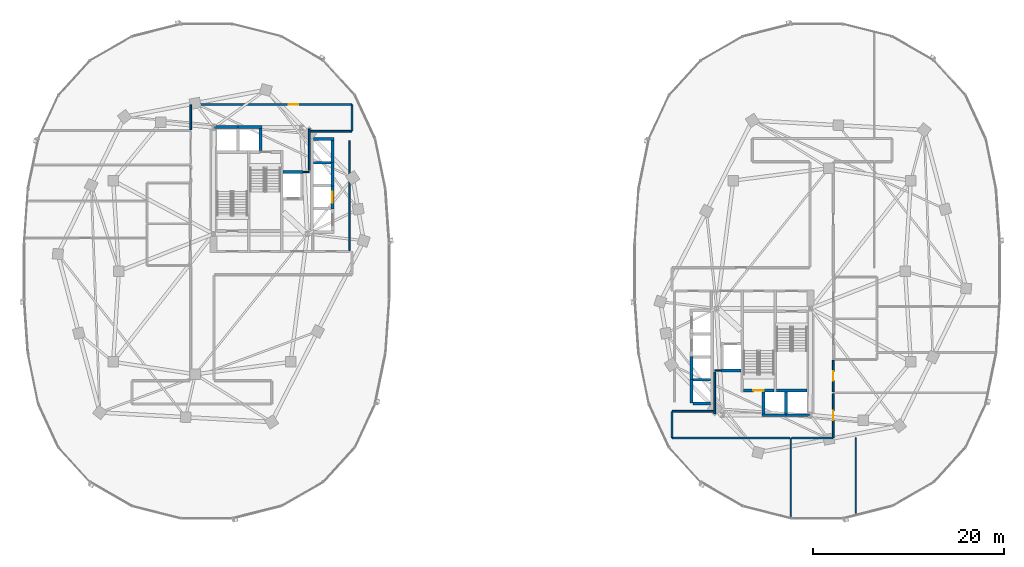
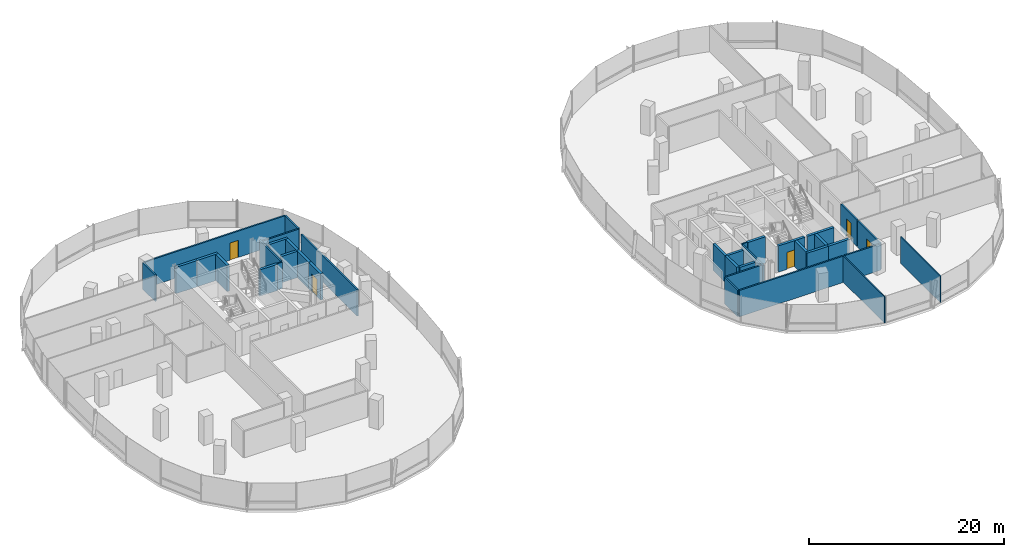
# One storey, part 12 of 21: 37 walls, 5 doors, 5 openings.
"""IFC4 building model written with IfcOpenShell, lengths in metres."""

from ifc_helpers import new_model, si_unit, direction, frame, frame_2d, origin, place, context, subcontext, project, spatial, rectangle, extrude, material, layer, layer_set, type_object, element, fill, save


model = new_model("IFC4")

# Units and contexts
model_context = context("Model", 3, precision=1e-05, world=origin(), true_north=direction((0.0, 1.0)))
body_context = subcontext(model_context, "Body", "Model", "MODEL_VIEW")
ifc_project = project(units=[si_unit("LENGTHUNIT", "METRE"), si_unit("AREAUNIT", "SQUARE_METRE"), si_unit("VOLUMEUNIT", "CUBIC_METRE"), si_unit("PLANEANGLEUNIT", "RADIAN"), si_unit("MASSUNIT", "GRAM", prefix="KILO"), si_unit("THERMODYNAMICTEMPERATUREUNIT", "KELVIN"), si_unit("POWERUNIT", "WATT")], contexts=[model_context])

# Site, building, storey
site_placement = place(None, origin())
site = spatial("IfcSite", under=ifc_project, at=site_placement, CompositionType="ELEMENT")
building_placement = place(site_placement, origin())
building = spatial("IfcBuilding", under=site, at=building_placement, Name="Cundina Bronze Exchange", CompositionType="ELEMENT")
storey_placement = place(building_placement, frame((0.0, 0.0, 89.0)))
storey = spatial("IfcBuildingStorey", under=building, at=storey_placement, Name="L22", CompositionType="ELEMENT", Elevation=89.0)

# Walls
ifc_material_1 = material(Name="Gypsum Fireboard Partition EI120")
ifc_layer_1 = layer(ifc_material_1, 0.179931640625, Name="Gypsum Fireboard Partition EI120")
ifc_layer_set_1 = layer_set([ifc_layer_1], Name="Gypsum Fireboard Partition EI120")
wall_type_1 = type_object("IfcWallType", Name="WL-COR-180", PredefinedType="PARTITIONING", material=ifc_layer_set_1)
wall_1_placement = place(storey_placement, frame((-17.02001953125, 2.169921875, 0.0), z_axis=(0.0, 0.0, 1.0), x_axis=(0.0, 1.0, 0.0)))
element("IfcWall", 1, at=wall_1_placement, inside=storey, type_object=wall_type_1, Name="L22 Interior Partition 001", PredefinedType="PARTITIONING", context=body_context, shape_type="SweptSolid", body=[
    extrude(rectangle(XDim=11.510009765625, YDim=0.179931640625, at=frame_2d((5.7548828125, 0.0))), origin(), (0.0, 0.0, 1.0), 3.300048828125),
])
wall_2_placement = place(storey_placement, frame((-21.25, 10.570068359375, 0.0), z_axis=(0.0, 0.0, 1.0), x_axis=(0.0, 1.0, 0.0)))
element("IfcWall", 2, at=wall_2_placement, inside=storey, type_object=wall_type_1, Name="L22 Interior Partition 004", PredefinedType="PARTITIONING", context=body_context, shape_type="SweptSolid", body=[
    extrude(rectangle(XDim=4.35986328125, YDim=0.179931640625, at=frame_2d((2.179931640625, 0.0))), origin(), (0.0, 0.0, 1.0), 3.300048828125),
])

# Wall, opening, door
wall_3_placement = place(storey_placement, frame((-16.821533203125, 17.469970703125, 0.0), z_axis=(0.0, 0.0, 1.0), x_axis=(-1.0, 0.0, 0.0)))
wall_3 = element("IfcWall", 3, at=wall_3_placement, inside=storey, type_object=wall_type_1, Name="L22 Interior Partition 018", PredefinedType="PARTITIONING", context=body_context, shape_type="SweptSolid", body=[
    extrude(rectangle(XDim=16.806884765625, YDim=0.179931640625, at=frame_2d((8.4033203125, 0.0))), origin(), (0.0, 0.0, 1.0), 3.300048828125),
])
opening_1_placement = place(wall_3_placement, frame((5.568603515625, 0.0, 0.0)))
opening_1 = element("IfcOpeningElement", 4, at=opening_1_placement, cuts=wall_3, Name="Opening DO-01", PredefinedType="OPENING", context=body_context, shape_type="SweptSolid", body=[
    extrude(rectangle(XDim=1.0, YDim=2.14990234375, at=frame_2d((0.5, 1.074951171875))), frame((0.0, 0.099853515625, 0.0), z_axis=(0.0, -1.0, 0.0), x_axis=(1.0, 0.0, 0.0)), (0.0, 0.0, 1.0), 0.199951171875),
])
ifc_material_2 = material(Name="Solid Andean Oak Timber Grade A", Category="wood")
door_type_1 = type_object("IfcDoorType", Name="DR-OFF-1000", OperationType="NOTDEFINED", PredefinedType="DOOR", material=ifc_material_2)
door_1_placement = place(opening_1_placement, origin())
door_1 = element("IfcDoor", 5, at=door_1_placement, inside=storey, type_object=door_type_1, Name="L22 Interior Door 018", OperationType="SINGLE_SWING_LEFT", OverallHeight=2.14990234375, OverallWidth=1.0, PredefinedType="DOOR", context=body_context, shape_type="SweptSolid", body=[
    extrude(rectangle(XDim=1.0, YDim=2.14990234375, at=frame_2d((0.5, 1.074951171875))), frame((0.0, 0.02490234375, 0.0), z_axis=(0.0, -1.0, 0.0), x_axis=(1.0, 0.0, 0.0)), (0.0, 0.0, 1.0), 0.050048828125),
])
fill(opening_1, door_1)

# Walls
wall_4_placement = place(storey_placement, frame((-21.178466796875, 14.679931640625, 0.0), z_axis=(0.0, 0.0, 1.0), x_axis=(1.0, 0.0, 0.0)))
element("IfcWall", 6, at=wall_4_placement, inside=storey, type_object=wall_type_1, Name="L22 Interior Partition 025", PredefinedType="PARTITIONING", context=body_context, shape_type="SweptSolid", body=[
    extrude(rectangle(XDim=4.35693359375, YDim=0.179931640625, at=frame_2d((2.178466796875, 0.0))), origin(), (0.0, 0.0, 1.0), 3.300048828125),
])
wall_5_placement = place(storey_placement, frame((-16.780029296875, 14.721435546875, 0.0), z_axis=(0.0, 0.0, 1.0), x_axis=(0.0, 1.0, 0.0)))
element("IfcWall", 7, at=wall_5_placement, inside=storey, type_object=wall_type_1, Name="L22 Interior Partition 026", PredefinedType="PARTITIONING", context=body_context, shape_type="SweptSolid", body=[
    extrude(rectangle(XDim=2.70703125, YDim=0.179931640625, at=frame_2d((1.353515625, 0.0))), origin(), (0.0, 0.0, 1.0), 3.300048828125),
])
wall_6_placement = place(storey_placement, frame((-33.669921875, 17.428466796875, 0.0), z_axis=(0.0, 0.0, 1.0), x_axis=(0.0, -1.0, 0.0)))
element("IfcWall", 8, at=wall_6_placement, inside=storey, type_object=wall_type_1, Name="L22 Interior Partition 027", PredefinedType="PARTITIONING", context=body_context, shape_type="SweptSolid", body=[
    extrude(rectangle(XDim=2.598388671875, YDim=0.179931640625, at=frame_2d((1.29931640625, 0.0))), origin(), (0.0, 0.0, 1.0), 3.300048828125),
])
wall_7_placement = place(storey_placement, frame((21.25, -14.929931640625, 0.0), z_axis=(0.0, 0.0, 1.0), x_axis=(0.0, 1.0, 0.0)))
element("IfcWall", 9, at=wall_7_placement, inside=storey, type_object=wall_type_1, Name="L22 Interior Partition 037", PredefinedType="PARTITIONING", context=body_context, shape_type="SweptSolid", body=[
    extrude(rectangle(XDim=4.35986328125, YDim=0.179931640625, at=frame_2d((2.179931640625, 0.0))), origin(), (0.0, 0.0, 1.0), 3.300048828125),
])

# Wall, opening, door
wall_8_placement = place(storey_placement, frame((33.669921875, -17.428466796875, 0.0), z_axis=(0.0, 0.0, 1.0), x_axis=(0.0, 1.0, 0.0)))
wall_8 = element("IfcWall", 10, at=wall_8_placement, inside=storey, type_object=wall_type_1, Name="L22 Interior Partition 054", PredefinedType="PARTITIONING", context=body_context, shape_type="SweptSolid", body=[
    extrude(rectangle(XDim=4.598388671875, YDim=0.179931640625, at=frame_2d((2.29931640625, 0.0))), origin(), (0.0, 0.0, 1.0), 3.300048828125),
])
opening_2_placement = place(wall_8_placement, frame((1.79931640625, 0.0, 0.0)))
opening_2 = element("IfcOpeningElement", 11, at=opening_2_placement, cuts=wall_8, Name="Opening DO-01", PredefinedType="OPENING", context=body_context, shape_type="SweptSolid", body=[
    extrude(rectangle(XDim=1.0, YDim=2.14990234375, at=frame_2d((0.5, 1.074951171875))), frame((0.0, 0.099853515625, 0.0), z_axis=(0.0, -1.0, 0.0), x_axis=(1.0, 0.0, 0.0)), (0.0, 0.0, 1.0), 0.199951171875),
])
door_2_placement = place(opening_2_placement, origin())
door_2 = element("IfcDoor", 12, at=door_2_placement, inside=storey, type_object=door_type_1, Name="L22 Interior Door 054", OperationType="SINGLE_SWING_RIGHT", OverallHeight=2.14990234375, OverallWidth=1.0, PredefinedType="DOOR", context=body_context, shape_type="SweptSolid", body=[
    extrude(rectangle(XDim=1.0, YDim=2.14990234375, at=frame_2d((0.5, 1.074951171875))), frame((0.0, 0.02490234375, 0.0), z_axis=(0.0, -1.0, 0.0), x_axis=(1.0, 0.0, 0.0)), (0.0, 0.0, 1.0), 0.050048828125),
])
fill(opening_2, door_2)

# Wall
wall_9_placement = place(storey_placement, frame((29.31005859375, -17.469970703125, 0.0), z_axis=(0.0, 0.0, 1.0), x_axis=(1.0, 0.0, 0.0)))
element("IfcWall", 13, at=wall_9_placement, inside=storey, type_object=wall_type_1, Name="L22 Interior Partition 055", PredefinedType="PARTITIONING", context=body_context, shape_type="SweptSolid", body=[
    extrude(rectangle(XDim=4.318359375, YDim=0.179931640625, at=frame_2d((2.1591796875, 0.0))), origin(), (0.0, 0.0, 1.0), 3.300048828125),
])

# Wall, opening, door
wall_10_placement = place(storey_placement, frame((33.669921875, -12.64990234375, 0.0), z_axis=(0.0, 0.0, 1.0), x_axis=(0.0, 1.0, 0.0)))
wall_10 = element("IfcWall", 14, at=wall_10_placement, inside=storey, type_object=wall_type_1, Name="L22 Interior Partition 056", PredefinedType="PARTITIONING", context=body_context, shape_type="SweptSolid", body=[
    extrude(rectangle(XDim=3.298583984375, YDim=0.179931640625, at=frame_2d((1.6494140625, 0.0))), origin(), (0.0, 0.0, 1.0), 3.300048828125),
])
opening_3_placement = place(wall_10_placement, frame((1.1494140625, 0.0, 0.0)))
opening_3 = element("IfcOpeningElement", 15, at=opening_3_placement, cuts=wall_10, Name="Opening DO-01", PredefinedType="OPENING", context=body_context, shape_type="SweptSolid", body=[
    extrude(rectangle(XDim=1.0, YDim=2.14990234375, at=frame_2d((0.5, 1.074951171875))), frame((0.0, 0.099853515625, 0.0), z_axis=(0.0, -1.0, 0.0), x_axis=(1.0, 0.0, 0.0)), (0.0, 0.0, 1.0), 0.199951171875),
])
door_3_placement = place(opening_3_placement, origin())
door_3 = element("IfcDoor", 16, at=door_3_placement, inside=storey, type_object=door_type_1, Name="L22 Interior Door 056", OperationType="SINGLE_SWING_RIGHT", OverallHeight=2.14990234375, OverallWidth=1.0, PredefinedType="DOOR", context=body_context, shape_type="SweptSolid", body=[
    extrude(rectangle(XDim=1.0, YDim=2.14990234375, at=frame_2d((0.5, 1.074951171875))), frame((0.0, 0.02490234375, 0.0), z_axis=(0.0, -1.0, 0.0), x_axis=(1.0, 0.0, 0.0)), (0.0, 0.0, 1.0), 0.050048828125),
])
fill(opening_3, door_3)

# Walls
wall_11_placement = place(storey_placement, frame((16.821533203125, -17.469970703125, 0.0), z_axis=(0.0, 0.0, 1.0), x_axis=(1.0, 0.0, 0.0)))
element("IfcWall", 17, at=wall_11_placement, inside=storey, type_object=wall_type_1, Name="L22 Interior Partition 059", PredefinedType="PARTITIONING", context=body_context, shape_type="SweptSolid", body=[
    extrude(rectangle(XDim=12.308349609375, YDim=0.179931640625, at=frame_2d((6.154296875, 0.0))), origin(), (0.0, 0.0, 1.0), 3.300048828125),
])
wall_12_placement = place(storey_placement, frame((21.178466796875, -14.679931640625, 0.0), z_axis=(0.0, 0.0, 1.0), x_axis=(-1.0, 0.0, 0.0)))
element("IfcWall", 18, at=wall_12_placement, inside=storey, type_object=wall_type_1, Name="L22 Interior Partition 062", PredefinedType="PARTITIONING", context=body_context, shape_type="SweptSolid", body=[
    extrude(rectangle(XDim=4.35693359375, YDim=0.179931640625, at=frame_2d((2.178466796875, 0.0))), origin(), (0.0, 0.0, 1.0), 3.300048828125),
])
wall_13_placement = place(storey_placement, frame((16.780029296875, -14.721435546875, 0.0), z_axis=(0.0, 0.0, 1.0), x_axis=(0.0, -1.0, 0.0)))
element("IfcWall", 19, at=wall_13_placement, inside=storey, type_object=wall_type_1, Name="L22 Interior Partition 063", PredefinedType="PARTITIONING", context=body_context, shape_type="SweptSolid", body=[
    extrude(rectangle(XDim=2.70703125, YDim=0.179931640625, at=frame_2d((1.353515625, 0.0))), origin(), (0.0, 0.0, 1.0), 3.300048828125),
])
ifc_material_3 = material(Name="Gypsum Acoustic Partition EI60")
ifc_layer_2 = layer(ifc_material_3, 0.125, Name="Gypsum Acoustic Partition EI60")
ifc_layer_set_2 = layer_set([ifc_layer_2], Name="Gypsum Acoustic Partition EI60")
wall_type_2 = type_object("IfcWallType", Name="WL-OFF-125", PredefinedType="PARTITIONING", material=ifc_layer_set_2)
wall_14_placement = place(storey_placement, frame((29.219970703125, -25.965576171875, 0.0), z_axis=(0.0, 0.0, 1.0), x_axis=(0.0, 1.0, 0.0)))
element("IfcWall", 20, at=wall_14_placement, inside=storey, type_object=wall_type_2, Name="L22 Interior Partition 052", PredefinedType="PARTITIONING", context=body_context, shape_type="SweptSolid", body=[
    extrude(rectangle(XDim=8.465576171875, YDim=0.125, at=frame_2d((4.23291015625, 0.0))), origin(), (0.0, 0.0, 1.0), 3.300048828125),
])
wall_15_placement = place(storey_placement, frame((36.02001953125, -25.652099609375, 0.0), z_axis=(0.0, 0.0, 1.0), x_axis=(0.0, 1.0, 0.0)))
element("IfcWall", 21, at=wall_15_placement, inside=storey, type_object=wall_type_2, Name="L22 Interior Partition 053", PredefinedType="PARTITIONING", context=body_context, shape_type="SweptSolid", body=[
    extrude(rectangle(XDim=8.18212890625, YDim=0.125, at=frame_2d((4.091064453125, 0.0))), origin(), (0.0, 0.0, 1.0), 3.300048828125),
])
ifc_material_4 = material(Name="Concrete C50/60", Category="concrete")
ifc_layer_3 = layer(ifc_material_4, 0.300048828125, Name="Concrete C50/60", Category="concrete")
ifc_layer_set_3 = layer_set([ifc_layer_3], Name="Concrete C50/60")
wall_type_3 = type_object("IfcWallType", Name="WL-SHFT-300", PredefinedType="SHEAR", material=ifc_layer_set_3)
wall_16_placement = place(storey_placement, frame((-23.97998046875, 10.39990234375, 0.0), z_axis=(0.0, 0.0, 1.0), x_axis=(1.0, 0.0, 0.0)))
element("IfcWall", 22, at=wall_16_placement, inside=storey, type_object=wall_type_3, Name="L22 FFL-W Hoistway Back Wall", PredefinedType="SHEAR", context=body_context, shape_type="SweptSolid", body=[
    extrude(rectangle(XDim=2.10009765625, YDim=0.300048828125, at=frame_2d((1.050048828125, 0.0))), origin(), (0.0, 0.0, 1.0), 3.300048828125),
])
for number, where, z_axis, x_axis, name in (
    (23, (-31.199951171875, 15.10009765625, 0.0), (0.0, 0.0, 1.0), (1.0, 0.0, 0.0), "L22 PH-W1 Hoistway Front Wall"),
    (24, (-28.699951171875, 15.10009765625, 0.0), (0.0, 0.0, 1.0), (1.0, 0.0, 0.0), "L22 PH-W2 Hoistway Front Wall"),
):
    element("IfcWall", number, at=place(storey_placement, frame(where, z_axis=z_axis, x_axis=x_axis)), inside=storey, type_object=wall_type_3, Name=name, PredefinedType="SHEAR", context=body_context, shape_type="SweptSolid", body=[
        extrude(rectangle(XDim=2.5, YDim=0.300048828125, at=frame_2d((1.25, 0.0))), origin(), (0.0, 0.0, 1.0), 3.300048828125),
    ])
wall_17_placement = place(storey_placement, frame((-26.35009765625, 12.64990234375, 0.0), z_axis=(0.0, 0.0, 1.0), x_axis=(0.0, 1.0, 0.0)))
element("IfcWall", 25, at=wall_17_placement, inside=storey, type_object=wall_type_3, Name="L22 PH-W2 Hoistway Divider Wall", PredefinedType="SHEAR", context=body_context, shape_type="SweptSolid", body=[
    extrude(rectangle(XDim=2.300048828125, YDim=0.300048828125, at=frame_2d((1.14990234375, 0.0))), origin(), (0.0, 0.0, 1.0), 3.300048828125),
])
wall_18_placement = place(storey_placement, frame((-20.800048828125, 13.85009765625, 0.0), z_axis=(0.0, 0.0, 1.0), x_axis=(1.0, 0.0, 0.0)))
element("IfcWall", 26, at=wall_18_placement, inside=storey, type_object=wall_type_3, Name="L22 W Passenger Bank North Cap Wall", PredefinedType="SHEAR", context=body_context, shape_type="SweptSolid", body=[
    extrude(rectangle(XDim=2.150146484375, YDim=0.300048828125, at=frame_2d((1.0751953125, 0.0))), origin(), (0.0, 0.0, 1.0), 3.300048828125),
])
wall_19_placement = place(storey_placement, frame((-20.800048828125, 11.375, 0.0), z_axis=(0.0, 0.0, 1.0), x_axis=(1.0, 0.0, 0.0)))
element("IfcWall", 27, at=wall_19_placement, inside=storey, type_object=wall_type_3, Name="L22 W Passenger Hoistway Divider 3", PredefinedType="SHEAR", context=body_context, shape_type="SweptSolid", body=[
    extrude(rectangle(XDim=1.85009765625, YDim=0.300048828125, at=frame_2d((0.925048828125, 0.0))), origin(), (0.0, 0.0, 1.0), 3.300048828125),
])

# Wall, opening, door
wall_20_placement = place(storey_placement, frame((-18.800048828125, 6.530029296875, 0.0), z_axis=(0.0, 0.0, 1.0), x_axis=(0.0, 1.0, 0.0)))
wall_20 = element("IfcWall", 28, at=wall_20_placement, inside=storey, type_object=wall_type_3, Name="L22 PL-W1 Hoistway Front Wall", PredefinedType="SHEAR", context=body_context, shape_type="SweptSolid", body=[
    extrude(rectangle(XDim=2.489990234375, YDim=0.300048828125, at=frame_2d((1.2451171875, 0.0))), origin(), (0.0, 0.0, 1.0), 3.300048828125),
])
opening_4_placement = place(wall_20_placement, frame((0.669921875, 0.0, 0.0)))
opening_4 = element("IfcOpeningElement", 29, at=opening_4_placement, cuts=wall_20, Name="Opening LD-01", PredefinedType="OPENING", context=body_context, shape_type="SweptSolid", body=[
    extrude(rectangle(XDim=1.14990234375, YDim=2.199951171875, at=frame_2d((0.574951171875, 1.10009765625))), frame((0.0, 0.159912109375, 0.0), z_axis=(0.0, -1.0, 0.0), x_axis=(1.0, 0.0, 0.0)), (0.0, 0.0, 1.0), 0.320068359375),
])
ifc_material_5 = material(Name="Steel ASTM A36 Painted", Category="steel")
door_type_2 = type_object("IfcDoorType", Name="DR-LND-1150", OperationType="NOTDEFINED", PredefinedType="TRAPDOOR", material=ifc_material_5)
door_4_placement = place(opening_4_placement, origin())
door_4 = element("IfcDoor", 30, at=door_4_placement, inside=storey, type_object=door_type_2, Name="L22 PL-W1 Sliding Landing Door", OperationType="SLIDING_TO_LEFT", OverallHeight=2.199951171875, OverallWidth=1.14990234375, PredefinedType="TRAPDOOR", context=body_context, shape_type="SweptSolid", body=[
    extrude(rectangle(XDim=1.14990234375, YDim=2.199951171875, at=frame_2d((0.574951171875, 1.10009765625))), frame((0.0, 0.02490234375, 0.0), z_axis=(0.0, -1.0, 0.0), x_axis=(1.0, 0.0, 0.0)), (0.0, 0.0, 1.0), 0.050048828125),
])
fill(opening_4, door_4)

# Walls
for number, where, z_axis, x_axis, name in (
    (31, (-18.800048828125, 8.929931640625, 0.0), (0.0, 0.0, 1.0), (0.0, 1.0, 0.0), "L22 PM-W2 Hoistway Front Wall"),
    (32, (-18.800048828125, 11.330078125, 0.0), (0.0, 0.0, 1.0), (0.0, 1.0, 0.0), "L22 PM-W1 Hoistway Front Wall"),
):
    element("IfcWall", number, at=place(storey_placement, frame(where, z_axis=z_axis, x_axis=x_axis)), inside=storey, type_object=wall_type_3, Name=name, PredefinedType="SHEAR", context=body_context, shape_type="SweptSolid", body=[
        extrude(rectangle(XDim=2.489990234375, YDim=0.300048828125, at=frame_2d((1.2451171875, 0.0))), origin(), (0.0, 0.0, 1.0), 3.300048828125),
    ])
wall_21_placement = place(storey_placement, frame((27.739990234375, -12.5, 0.0), z_axis=(0.0, 0.0, 1.0), x_axis=(1.0, 0.0, 0.0)))
element("IfcWall", 33, at=wall_21_placement, inside=storey, type_object=wall_type_3, Name="L22 Stair E1 Far Shaft Wall", PredefinedType="SHEAR", context=body_context, shape_type="SweptSolid", body=[
    extrude(rectangle(XDim=3.159912109375, YDim=0.300048828125, at=frame_2d((1.580078125, 0.0))), origin(), (0.0, 0.0, 1.0), 3.300048828125),
])

# Wall, opening, door
wall_22_placement = place(storey_placement, frame((24.280029296875, -12.5, 0.0), z_axis=(0.0, 0.0, 1.0), x_axis=(1.0, 0.0, 0.0)))
wall_22 = element("IfcWall", 34, at=wall_22_placement, inside=storey, type_object=wall_type_3, Name="L22 Stair E2 Landing Wall", PredefinedType="SHEAR", context=body_context, shape_type="SweptSolid", body=[
    extrude(rectangle(XDim=3.159912109375, YDim=0.300048828125, at=frame_2d((1.580078125, 0.0))), origin(), (0.0, 0.0, 1.0), 3.300048828125),
])
opening_5_placement = place(wall_22_placement, frame((1.030029296875, 0.0, 0.0)))
opening_5 = element("IfcOpeningElement", 35, at=opening_5_placement, cuts=wall_22, Name="Opening DS-01", PredefinedType="OPENING", context=body_context, shape_type="SweptSolid", body=[
    extrude(rectangle(XDim=1.10009765625, YDim=2.14990234375, at=frame_2d((0.550048828125, 1.074951171875))), frame((0.0, 0.159912109375, 0.0), z_axis=(0.0, -1.0, 0.0), x_axis=(1.0, 0.0, 0.0)), (0.0, 0.0, 1.0), 0.320068359375),
])
door_type_3 = type_object("IfcDoorType", Name="DR-STR-1100", OperationType="NOTDEFINED", PredefinedType="DOOR", material=ifc_material_5)
door_5_placement = place(opening_5_placement, origin())
door_5 = element("IfcDoor", 36, at=door_5_placement, inside=storey, type_object=door_type_3, Name="L22 Smokeproof Stair E2 Door", OperationType="SINGLE_SWING_RIGHT", OverallHeight=2.14990234375, OverallWidth=1.10009765625, PredefinedType="DOOR", context=body_context, shape_type="SweptSolid", body=[
    extrude(rectangle(XDim=1.10009765625, YDim=2.14990234375, at=frame_2d((0.550048828125, 1.074951171875))), frame((0.0, 0.02490234375, 0.0), z_axis=(0.0, -1.0, 0.0), x_axis=(1.0, 0.0, 0.0)), (0.0, 0.0, 1.0), 0.050048828125),
])
fill(opening_5, door_5)

# Walls
wall_23_placement = place(storey_placement, frame((21.8798828125, -10.39990234375, 0.0), z_axis=(0.0, 0.0, 1.0), x_axis=(1.0, 0.0, 0.0)))
element("IfcWall", 37, at=wall_23_placement, inside=storey, type_object=wall_type_3, Name="L22 FFL-E Hoistway Back Wall", PredefinedType="SHEAR", context=body_context, shape_type="SweptSolid", body=[
    extrude(rectangle(XDim=2.10009765625, YDim=0.300048828125, at=frame_2d((1.050048828125, 0.0))), origin(), (0.0, 0.0, 1.0), 3.300048828125),
])
wall_24_placement = place(storey_placement, frame((28.699951171875, -15.10009765625, 0.0), z_axis=(0.0, 0.0, 1.0), x_axis=(1.0, 0.0, 0.0)))
element("IfcWall", 38, at=wall_24_placement, inside=storey, type_object=wall_type_3, Name="L22 PH-E1 Hoistway Front Wall", PredefinedType="SHEAR", context=body_context, shape_type="SweptSolid", body=[
    extrude(rectangle(XDim=2.5, YDim=0.300048828125, at=frame_2d((1.25, 0.0))), origin(), (0.0, 0.0, 1.0), 3.300048828125),
])
wall_25_placement = place(storey_placement, frame((28.699951171875, -14.949951171875, 0.0), z_axis=(0.0, 0.0, 1.0), x_axis=(0.0, 1.0, 0.0)))
element("IfcWall", 39, at=wall_25_placement, inside=storey, type_object=wall_type_3, Name="L22 PH-E1 Hoistway Divider Wall", PredefinedType="SHEAR", context=body_context, shape_type="SweptSolid", body=[
    extrude(rectangle(XDim=2.300048828125, YDim=0.300048828125, at=frame_2d((1.14990234375, 0.0))), origin(), (0.0, 0.0, 1.0), 3.300048828125),
])
wall_26_placement = place(storey_placement, frame((26.199951171875, -15.10009765625, 0.0), z_axis=(0.0, 0.0, 1.0), x_axis=(1.0, 0.0, 0.0)))
element("IfcWall", 40, at=wall_26_placement, inside=storey, type_object=wall_type_3, Name="L22 PH-E2 Hoistway Front Wall", PredefinedType="SHEAR", context=body_context, shape_type="SweptSolid", body=[
    extrude(rectangle(XDim=2.5, YDim=0.300048828125, at=frame_2d((1.25, 0.0))), origin(), (0.0, 0.0, 1.0), 3.300048828125),
])
wall_27_placement = place(storey_placement, frame((26.35009765625, -14.949951171875, 0.0), z_axis=(0.0, 0.0, 1.0), x_axis=(0.0, 1.0, 0.0)))
element("IfcWall", 41, at=wall_27_placement, inside=storey, type_object=wall_type_3, Name="L22 PH-E2 Hoistway Divider Wall", PredefinedType="SHEAR", context=body_context, shape_type="SweptSolid", body=[
    extrude(rectangle(XDim=2.300048828125, YDim=0.300048828125, at=frame_2d((1.14990234375, 0.0))), origin(), (0.0, 0.0, 1.0), 3.300048828125),
])
for number, where, z_axis, x_axis, name in (
    (42, (18.949951171875, -13.85009765625, 0.0), (0.0, 0.0, 1.0), (1.0, 0.0, 0.0), "L22 E Passenger Bank South Cap Wall"),
    (43, (18.949951171875, -11.375, 0.0), (0.0, 0.0, 1.0), (1.0, 0.0, 0.0), "L22 E Passenger Hoistway Divider 1"),
):
    element("IfcWall", number, at=place(storey_placement, frame(where, z_axis=z_axis, x_axis=x_axis)), inside=storey, type_object=wall_type_3, Name=name, PredefinedType="SHEAR", context=body_context, shape_type="SweptSolid", body=[
        extrude(rectangle(XDim=1.85009765625, YDim=0.300048828125, at=frame_2d((0.925048828125, 0.0))), origin(), (0.0, 0.0, 1.0), 3.300048828125),
    ])
for number, where, z_axis, x_axis, name in (
    (44, (18.800048828125, -13.820068359375, 0.0), (0.0, 0.0, 1.0), (0.0, 1.0, 0.0), "L22 PM-E1 Hoistway Front Wall"),
    (45, (18.800048828125, -11.419921875, 0.0), (0.0, 0.0, 1.0), (0.0, 1.0, 0.0), "L22 PM-E2 Hoistway Front Wall"),
):
    element("IfcWall", number, at=place(storey_placement, frame(where, z_axis=z_axis, x_axis=x_axis)), inside=storey, type_object=wall_type_3, Name=name, PredefinedType="SHEAR", context=body_context, shape_type="SweptSolid", body=[
        extrude(rectangle(XDim=2.489990234375, YDim=0.300048828125, at=frame_2d((1.2451171875, 0.0))), origin(), (0.0, 0.0, 1.0), 3.300048828125),
    ])
ifc_material_6 = material(Name="Moisture-Resistant Masonry Block Grade M15", Category="masonry")
ifc_layer_4 = layer(ifc_material_6, 0.139892578125, Name="Moisture-Resistant Masonry Block Grade M15", Category="masonry")
ifc_layer_set_4 = layer_set([ifc_layer_4], Name="Moisture-Resistant Masonry Block Grade M15")
wall_type_4 = type_object("IfcWallType", Name="WL-WET-140", PredefinedType="PARTITIONING", material=ifc_layer_set_4)
for number, where, z_axis, x_axis, name in (
    (46, (-21.860107421875, 10.39990234375, 0.0), (0.0, 0.0, 1.0), (1.0, 0.0, 0.0), "L22 Interior Partition 003"),
    (47, (21.27001953125, -10.39990234375, 0.0), (0.0, 0.0, 1.0), (1.0, 0.0, 0.0), "L22 Interior Partition 036"),
):
    element("IfcWall", number, at=place(storey_placement, frame(where, z_axis=z_axis, x_axis=x_axis)), inside=storey, type_object=wall_type_4, Name=name, PredefinedType="PARTITIONING", context=body_context, shape_type="SweptSolid", body=[
        extrude(rectangle(XDim=0.590087890625, YDim=0.139892578125, at=frame_2d((0.294921875, 0.0))), origin(), (0.0, 0.0, 1.0), 3.300048828125),
    ])

save(model, "model.ifc")
